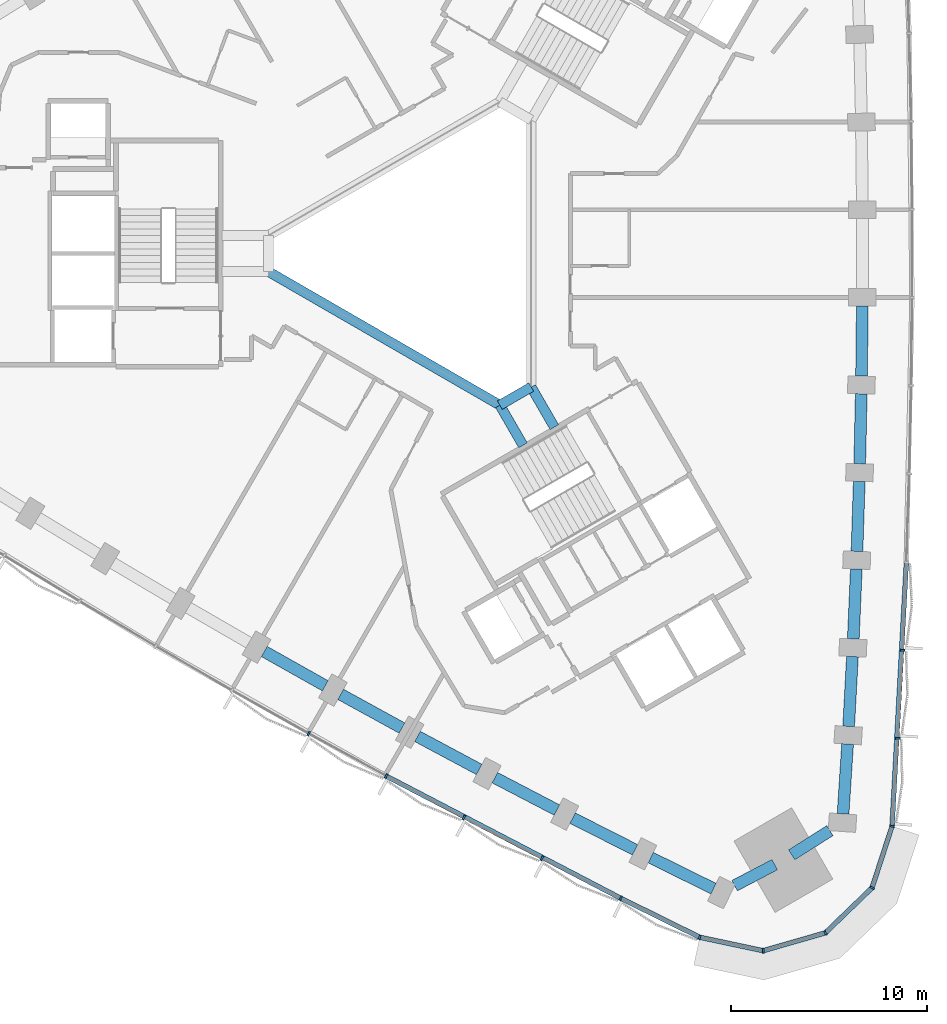
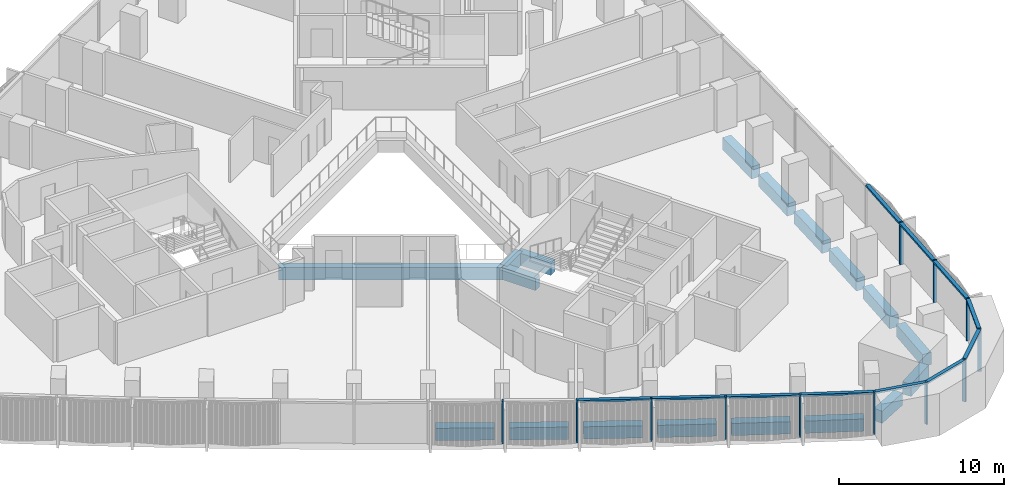
# One storey, part 3 of 15: 19 members, 18 beams, 2 elements without a shape of their own.
"""IFC4 building model written with IfcOpenShell, lengths in metres."""

from ifc_helpers import new_model, si_unit, direction, frame, origin, origin_2d, place, context, subcontext, project, spatial, rectangle, extrude, material, material_profile, profile_set, type_object, element, aggregate, save


model = new_model("IFC4")

# Units and contexts
model_context = context("Model", 3, precision=1e-05, world=origin(), true_north=direction((0.0, 1.0)))
body_context = subcontext(model_context, "Body", "Model", "MODEL_VIEW")
ifc_project = project(units=[si_unit("LENGTHUNIT", "METRE"), si_unit("AREAUNIT", "SQUARE_METRE"), si_unit("VOLUMEUNIT", "CUBIC_METRE"), si_unit("PLANEANGLEUNIT", "RADIAN"), si_unit("MASSUNIT", "GRAM", prefix="KILO")], contexts=[model_context])

# Site, building, storey
site_placement = place(None, origin())
site = spatial("IfcSite", under=ifc_project, at=site_placement, CompositionType="ELEMENT")
building_placement = place(site_placement, origin())
building = spatial("IfcBuilding", under=site, at=building_placement, Name="Tamra Quay Hotel Tower", CompositionType="ELEMENT")
storey_placement = place(building_placement, frame((0.0, 0.0, 63.800048828125)))
storey = spatial("IfcBuildingStorey", under=building, at=storey_placement, Name="L14", CompositionType="ELEMENT", Elevation=63.800048828125)

# Beams
ifc_material_1 = material(Name="Concrete M60", Category="concrete")
ifc_material_profile_1 = material_profile(ifc_material_1, rectangle(XDim=0.5, YDim=0.89990234375, at=origin_2d()), Name="ATRIUM EDGE BEAM RC 500x900")
ifc_profile_set_1 = profile_set([ifc_material_profile_1], Name="Concrete M60")
beam_type_1 = type_object("IfcBeamType", Name="ATRIUM EDGE BEAM RC 500x900", PredefinedType="BEAM", material=ifc_profile_set_1)
beam_1_placement = place(storey_placement, frame((5.0, -6.812744140625, -0.925048828125), z_axis=(-0.86602275259, -0.500004591975, 0.0), x_axis=(0.500004591975, -0.86602275259, 0.0)))
element("IfcBeam", 1, at=beam_1_placement, inside=storey, type_object=beam_type_1, Name="BM-AB1-L14", PredefinedType="BEAM", context=body_context, shape_type="SweptSolid", body=[
    extrude(rectangle(XDim=0.5, YDim=0.89990234375, at=origin_2d()), origin(), (0.0, 0.0, 1.0), 1.84765625),
])
beam_2_placement = place(storey_placement, frame((3.39990234375, -7.736572265625, -0.925048828125), z_axis=(-0.866021471679, 0.500006810544, 0.0), x_axis=(-0.500006810544, -0.866021471679, 0.0)))
element("IfcBeam", 2, at=beam_2_placement, inside=storey, type_object=beam_type_1, Name="BM-AB2-L14", PredefinedType="BEAM", context=body_context, shape_type="SweptSolid", body=[
    extrude(rectangle(XDim=0.5, YDim=0.89990234375, at=origin_2d()), origin(), (0.0, 0.0, 1.0), 13.625244140625),
])
ifc_material_profile_2 = material_profile(ifc_material_1, rectangle(XDim=0.5, YDim=0.89990234375, at=origin_2d()), Name="ATRIUM TIE BEAM RC 500x900")
ifc_profile_set_2 = profile_set([ifc_material_profile_2], Name="Concrete M60")
beam_type_2 = type_object("IfcBeamType", Name="ATRIUM TIE BEAM RC 500x900", PredefinedType="BEAM", material=ifc_profile_set_2)
for number, where, z_axis, x_axis, name in (
    (3, (5.0, -6.812744140625, -0.925048828125), (0.500029618126, -0.866008303076, 0.0), (0.866008303076, 0.500029618126, 0.0), "BM-TIE-1-L14"),
    (4, (3.39990234375, -7.736572265625, -0.925048828125), (0.500029618126, -0.866008303076, 0.0), (0.866008303076, 0.500029618126, 0.0), "BM-TIE-2-L14"),
):
    element("IfcBeam", number, at=place(storey_placement, frame(where, z_axis=z_axis, x_axis=x_axis)), inside=storey, type_object=beam_type_2, Name=name, PredefinedType="BEAM", context=body_context, shape_type="SweptSolid", body=[
        extrude(rectangle(XDim=0.5, YDim=0.89990234375, at=origin_2d()), origin(), (0.0, 0.0, 1.0), 2.362060546875),
    ])

# Curtain wall, members
ifc_material_2 = material(Name="Aluminium 6063 anodised dark grey", Category="aluminium")
curtain_wall_type_1 = type_object("IfcCurtainWallType", Name="CW1 CURTAIN WALL", PredefinedType="NOTDEFINED", material=ifc_material_2)
curtain_wall_1_placement = place(storey_placement, origin())
curtain_wall_1 = element("IfcCurtainWall", 5, at=curtain_wall_1_placement, inside=storey, type_object=curtain_wall_type_1, Name="CW1 east face L14", PredefinedType="NOTDEFINED")
ifc_material_profile_3 = material_profile(ifc_material_2, rectangle(XDim=0.239990234375, YDim=0.10009765625, at=origin_2d()), Name="MULLION 100X240")
ifc_profile_set_3 = profile_set([ifc_material_profile_3], Name="Aluminium 6063 anodised dark grey")
member_type_1 = type_object("IfcMemberType", Name="MULLION CW1 Z1", PredefinedType="MULLION", material=ifc_profile_set_3)
member_1_placement = place(storey_placement, frame((23.40869140625, -29.2109375, 0.0), z_axis=(0.0, 0.0, 1.0), x_axis=(0.982094529733, -0.188388785943, 0.0)))
member_1 = element("IfcMember", 6, at=member_1_placement, type_object=member_type_1, Name="CW1 mullion L14.E.1", PredefinedType="MULLION", context=body_context, shape_type="SweptSolid", body=[
    extrude(rectangle(XDim=0.239990234375, YDim=0.10009765625, at=origin_2d()), origin(), (0.0, 0.0, 1.0), 3.125),
])
member_2_placement = place(storey_placement, frame((23.699951171875, -24.723876953125, 0.0), z_axis=(0.0, 0.0, 1.0), x_axis=(0.998231971154, -0.05943847042, 0.0)))
member_2 = element("IfcMember", 7, at=member_2_placement, type_object=member_type_1, Name="CW1 mullion L14.E.2", PredefinedType="MULLION", context=body_context, shape_type="SweptSolid", body=[
    extrude(rectangle(XDim=0.239990234375, YDim=0.10009765625, at=origin_2d()), origin(), (0.0, 0.0, 1.0), 3.125),
])
member_3_placement = place(storey_placement, frame((23.943115234375, -20.2314453125, 0.0), z_axis=(0.0, 0.0, 1.0), x_axis=(0.998814694093, -0.048674499108, 0.0)))
member_3 = element("IfcMember", 8, at=member_3_placement, type_object=member_type_1, Name="CW1 mullion L14.E.3", PredefinedType="MULLION", context=body_context, shape_type="SweptSolid", body=[
    extrude(rectangle(XDim=0.239990234375, YDim=0.10009765625, at=origin_2d()), origin(), (0.0, 0.0, 1.0), 3.125),
])

curtain_wall_type_2 = type_object("IfcCurtainWallType", Name="CW3 CURTAIN WALL", PredefinedType="NOTDEFINED", material=ifc_material_2)
curtain_wall_2_placement = place(storey_placement, origin())
curtain_wall_2 = element("IfcCurtainWall", 9, at=curtain_wall_2_placement, inside=storey, type_object=curtain_wall_type_2, Name="CW3 south-west face L14", PredefinedType="NOTDEFINED")
ifc_material_profile_4 = material_profile(ifc_material_2, rectangle(XDim=0.239990234375, YDim=0.10009765625, at=origin_2d()), Name="MULLION 100X240")
ifc_profile_set_4 = profile_set([ifc_material_profile_4], Name="Aluminium 6063 anodised dark grey")
member_type_2 = type_object("IfcMemberType", Name="MULLION CW3 Z1", PredefinedType="MULLION", material=ifc_profile_set_4)
member_4_placement = place(storey_placement, frame((-6.3486328125, -24.48779296875, 0.0), z_axis=(0.0, 0.0, 1.0), x_axis=(-0.485863802361, -0.874034533388, 0.0)))
member_4 = element("IfcMember", 10, at=member_4_placement, type_object=member_type_2, Name="CW3 mullion L14.SW.9", PredefinedType="MULLION", context=body_context, shape_type="SweptSolid", body=[
    extrude(rectangle(XDim=0.239990234375, YDim=0.10009765625, at=origin_2d()), origin(), (0.0, 0.0, 1.0), 3.125),
])
member_5_placement = place(storey_placement, frame((-2.40478515625, -26.65234375, 0.0), z_axis=(0.0, 0.0, 1.0), x_axis=(-0.476376526936, -0.87924138016, 0.0)))
member_5 = element("IfcMember", 11, at=member_5_placement, type_object=member_type_2, Name="CW3 mullion L14.SW.10", PredefinedType="MULLION", context=body_context, shape_type="SweptSolid", body=[
    extrude(rectangle(XDim=0.239990234375, YDim=0.10009765625, at=origin_2d()), origin(), (0.0, 0.0, 1.0), 3.125),
])
member_6_placement = place(storey_placement, frame((1.56103515625, -28.773193359375, 0.0), z_axis=(0.0, 0.0, 1.0), x_axis=(-0.466835499362, -0.884344173122, 0.0)))
member_6 = element("IfcMember", 12, at=member_6_placement, type_object=member_type_2, Name="CW3 mullion L14.SW.11", PredefinedType="MULLION", context=body_context, shape_type="SweptSolid", body=[
    extrude(rectangle(XDim=0.239990234375, YDim=0.10009765625, at=origin_2d()), origin(), (0.0, 0.0, 1.0), 3.125),
])
member_7_placement = place(storey_placement, frame((5.54931640625, -30.851318359375, 0.0), z_axis=(0.0, 0.0, 1.0), x_axis=(-0.457253994303, -0.889336148312, 0.0)))
member_7 = element("IfcMember", 13, at=member_7_placement, type_object=member_type_2, Name="CW3 mullion L14.SW.12", PredefinedType="MULLION", context=body_context, shape_type="SweptSolid", body=[
    extrude(rectangle(XDim=0.239990234375, YDim=0.10009765625, at=origin_2d()), origin(), (0.0, 0.0, 1.0), 3.125),
])
member_8_placement = place(storey_placement, frame((9.5615234375, -32.88671875, 0.0), z_axis=(0.0, 0.0, 1.0), x_axis=(-0.447640760231, -0.894213481099, 0.0)))
member_8 = element("IfcMember", 14, at=member_8_placement, type_object=member_type_2, Name="CW3 mullion L14.SW.13", PredefinedType="MULLION", context=body_context, shape_type="SweptSolid", body=[
    extrude(rectangle(XDim=0.239990234375, YDim=0.10009765625, at=origin_2d()), origin(), (0.0, 0.0, 1.0), 3.125),
])
member_9_placement = place(storey_placement, frame((13.593017578125, -34.8779296875, 0.0), z_axis=(0.0, 0.0, 1.0), x_axis=(-0.327897790452, -0.944713204638, 0.0)))
member_9 = element("IfcMember", 15, at=member_9_placement, type_object=member_type_2, Name="CW3 mullion L14.SW.14", PredefinedType="MULLION", context=body_context, shape_type="SweptSolid", body=[
    extrude(rectangle(XDim=0.239990234375, YDim=0.10009765625, at=origin_2d()), origin(), (0.0, 0.0, 1.0), 3.125),
])
member_10_placement = place(storey_placement, frame((16.828125, -35.5654296875, 0.0), z_axis=(0.0, 0.0, 1.0), x_axis=(0.034915999879, -0.999390250579, 0.0)))
member_10 = element("IfcMember", 16, at=member_10_placement, type_object=member_type_2, Name="CW3 mullion L14.SW.15", PredefinedType="MULLION", context=body_context, shape_type="SweptSolid", body=[
    extrude(rectangle(XDim=0.239990234375, YDim=0.10009765625, at=origin_2d()), origin(), (0.0, 0.0, 1.0), 3.125),
])
member_11_placement = place(storey_placement, frame((20.00732421875, -34.65380859375, 0.0), z_axis=(0.0, 0.0, 1.0), x_axis=(0.5, -0.866025403784, 0.0)))
member_11 = element("IfcMember", 17, at=member_11_placement, type_object=member_type_2, Name="CW3 mullion L14.SW.16", PredefinedType="MULLION", context=body_context, shape_type="SweptSolid", body=[
    extrude(rectangle(XDim=0.239990234375, YDim=0.10009765625, at=origin_2d()), origin(), (0.0, 0.0, 1.0), 3.125),
])
member_12_placement = place(storey_placement, frame((22.386474609375, -32.356201171875, 0.0), z_axis=(0.0, 0.0, 1.0), x_axis=(0.848039345356, -0.529933268183, 0.0)))
member_12 = element("IfcMember", 18, at=member_12_placement, type_object=member_type_2, Name="CW3 mullion L14.SW.17", PredefinedType="MULLION", context=body_context, shape_type="SweptSolid", body=[
    extrude(rectangle(XDim=0.239990234375, YDim=0.10009765625, at=origin_2d()), origin(), (0.0, 0.0, 1.0), 3.125),
])

# Beams
ifc_material_profile_5 = material_profile(ifc_material_1, rectangle(XDim=0.60009765625, YDim=0.89990234375, at=origin_2d()), Name="SPANDREL BEAM RC 600x900")
ifc_profile_set_5 = profile_set([ifc_material_profile_5], Name="Concrete M60")
beam_type_3 = type_object("IfcBeamType", Name="SPANDREL BEAM RC 600x900", PredefinedType="SPANDREL", material=ifc_profile_set_5)
beam_3_placement = place(storey_placement, frame((20.908203125, -28.584716796875, -0.925048828125), z_axis=(0.064749077985, 0.99790157676, 0.0), x_axis=(-0.99790157676, 0.064749077985, 0.0)))
element("IfcBeam", 19, at=beam_3_placement, inside=storey, type_object=beam_type_3, Name="BM-SP1-000-L14", PredefinedType="SPANDREL", context=body_context, shape_type="SweptSolid", body=[
    extrude(rectangle(XDim=0.60009765625, YDim=0.89990234375, at=origin_2d()), origin(), (0.0, 0.0, 1.0), 3.57080078125),
])
beam_4_placement = place(storey_placement, frame((21.193115234375, -24.123046875, -0.925048828125), z_axis=(0.054026860576, 0.998539482613, 0.0), x_axis=(-0.998539482613, 0.054026860576, 0.0)))
element("IfcBeam", 20, at=beam_4_placement, inside=storey, type_object=beam_type_3, Name="BM-SP1-001-L14", PredefinedType="SPANDREL", context=body_context, shape_type="SweptSolid", body=[
    extrude(rectangle(XDim=0.60009765625, YDim=0.89990234375, at=origin_2d()), origin(), (0.0, 0.0, 1.0), 3.56982421875),
])
for number, where, z_axis, x_axis, name in (
    (21, (21.429931640625, -19.659423828125, -0.925048828125), (0.043282922957, 0.99906285517, 0.0), (-0.99906285517, 0.043282922957, 0.0), "BM-SP1-002-L14"),
    (22, (21.618408203125, -15.19287109375, -0.925048828125), (0.032547568535, 0.999470187541, 0.0), (-0.999470187541, 0.032547568535, 0.0), "BM-SP1-003-L14"),
):
    element("IfcBeam", number, at=place(storey_placement, frame(where, z_axis=z_axis, x_axis=x_axis)), inside=storey, type_object=beam_type_3, Name=name, PredefinedType="SPANDREL", context=body_context, shape_type="SweptSolid", body=[
        extrude(rectangle(XDim=0.60009765625, YDim=0.89990234375, at=origin_2d()), origin(), (0.0, 0.0, 1.0), 3.570556640625),
    ])
beam_5_placement = place(storey_placement, frame((21.7587890625, -10.724609375, -0.925048828125), z_axis=(0.021679013576, 0.999764982569, 0.0), x_axis=(-0.999764982569, 0.021679013576, 0.0)))
element("IfcBeam", 23, at=beam_5_placement, inside=storey, type_object=beam_type_3, Name="BM-SP1-004-L14", PredefinedType="SPANDREL", context=body_context, shape_type="SweptSolid", body=[
    extrude(rectangle(XDim=0.60009765625, YDim=0.89990234375, at=origin_2d()), origin(), (0.0, 0.0, 1.0), 3.56982421875),
])
for number, where, z_axis, x_axis, name in (
    (24, (21.850830078125, -6.255615234375, -0.925048828125), (0.010803527021, 0.999941640199, 0.0), (-0.999941640199, 0.010803527021, 0.0), "BM-SP1-005-L14"),
    (25, (-8.619384765625, -20.299560546875, -0.925048828125), (0.871431243693, -0.49051767299, 0.0), (0.49051767299, 0.871431243693, 0.0), "BM-SP1-037-L14"),
):
    element("IfcBeam", number, at=place(storey_placement, frame(where, z_axis=z_axis, x_axis=x_axis)), inside=storey, type_object=beam_type_3, Name=name, PredefinedType="SPANDREL", context=body_context, shape_type="SweptSolid", body=[
        extrude(rectangle(XDim=0.60009765625, YDim=0.89990234375, at=origin_2d()), origin(), (0.0, 0.0, 1.0), 3.570556640625),
    ])
beam_6_placement = place(storey_placement, frame((-4.72119140625, -22.48828125, -0.925048828125), z_axis=(0.876617015828, -0.481188744216, 0.0), x_axis=(0.481188744216, 0.876617015828, 0.0)))
element("IfcBeam", 26, at=beam_6_placement, inside=storey, type_object=beam_type_3, Name="BM-SP1-038-L14", PredefinedType="SPANDREL", context=body_context, shape_type="SweptSolid", body=[
    extrude(rectangle(XDim=0.60009765625, YDim=0.89990234375, at=origin_2d()), origin(), (0.0, 0.0, 1.0), 3.56982421875),
])
beam_7_placement = place(storey_placement, frame((-0.80029296875, -24.634765625, -0.925048828125), z_axis=(0.881809110934, -0.471606501094, 0.0), x_axis=(0.471606501094, 0.881809110934, 0.0)))
element("IfcBeam", 27, at=beam_7_placement, inside=storey, type_object=beam_type_3, Name="BM-SP1-039-L14", PredefinedType="SPANDREL", context=body_context, shape_type="SweptSolid", body=[
    extrude(rectangle(XDim=0.60009765625, YDim=0.89990234375, at=origin_2d()), origin(), (0.0, 0.0, 1.0), 3.5703125),
])
beam_8_placement = place(storey_placement, frame((3.14404296875, -26.73876953125, -0.925048828125), z_axis=(0.886863886749, -0.462030785101, 0.0), x_axis=(0.462030785101, 0.886863886749, 0.0)))
element("IfcBeam", 28, at=beam_8_placement, inside=storey, type_object=beam_type_3, Name="BM-SP1-040-L14", PredefinedType="SPANDREL", context=body_context, shape_type="SweptSolid", body=[
    extrude(rectangle(XDim=0.60009765625, YDim=0.89990234375, at=origin_2d()), origin(), (0.0, 0.0, 1.0), 3.570556640625),
])
beam_9_placement = place(storey_placement, frame((7.111083984375, -28.800048828125, -0.925048828125), z_axis=(0.891785652583, -0.452458119439, 0.0), x_axis=(0.452458119439, 0.891785652583, 0.0)))
element("IfcBeam", 29, at=beam_9_placement, inside=storey, type_object=beam_type_3, Name="BM-SP1-041-L14", PredefinedType="SPANDREL", context=body_context, shape_type="SweptSolid", body=[
    extrude(rectangle(XDim=0.60009765625, YDim=0.89990234375, at=origin_2d()), origin(), (0.0, 0.0, 1.0), 3.56982421875),
])
beam_10_placement = place(storey_placement, frame((11.099365234375, -30.818115234375, -0.925048828125), z_axis=(0.896604328032, -0.442832563113, 0.0), x_axis=(0.442832563113, 0.896604328032, 0.0)))
element("IfcBeam", 30, at=beam_10_placement, inside=storey, type_object=beam_type_3, Name="BM-SP1-042-L14", PredefinedType="SPANDREL", context=body_context, shape_type="SweptSolid", body=[
    extrude(rectangle(XDim=0.60009765625, YDim=0.89990234375, at=origin_2d()), origin(), (0.0, 0.0, 1.0), 3.57080078125),
])
beam_11_placement = place(storey_placement, frame((15.377197265625, -32.24609375, -0.925048828125), z_axis=(0.885674154565, 0.464307324879, 0.0), x_axis=(-0.464307324879, 0.885674154565, 0.0)))
element("IfcBeam", 31, at=beam_11_placement, inside=storey, type_object=beam_type_3, Name="BM-SP1-043-L14", PredefinedType="SPANDREL", context=body_context, shape_type="SweptSolid", body=[
    extrude(rectangle(XDim=0.60009765625, YDim=0.89990234375, at=origin_2d()), origin(), (0.0, 0.0, 1.0), 2.308349609375),
])
beam_12_placement = place(storey_placement, frame((18.28662109375, -30.6748046875, -0.925048828125), z_axis=(0.844978382684, 0.53480046073, 0.0), x_axis=(-0.53480046073, 0.844978382684, 0.0)))
element("IfcBeam", 32, at=beam_12_placement, inside=storey, type_object=beam_type_3, Name="BM-SP1-044-L14", PredefinedType="SPANDREL", context=body_context, shape_type="SweptSolid", body=[
    extrude(rectangle(XDim=0.60009765625, YDim=0.89990234375, at=origin_2d()), origin(), (0.0, 0.0, 1.0), 2.30859375),
])

# Member
ifc_material_profile_6 = material_profile(ifc_material_2, rectangle(XDim=0.239990234375, YDim=0.139892578125, at=origin_2d()), Name="TRANSOM 240X140")
ifc_profile_set_6 = profile_set([ifc_material_profile_6], Name="Aluminium 6063 anodised dark grey")
member_type_3 = type_object("IfcMemberType", Name="TRANSOM CW1 Z1", PredefinedType="USERDEFINED", material=ifc_profile_set_6)
member_13_placement = place(storey_placement, frame((23.411865234375, -29.160888671875, 3.054931640625), z_axis=(0.054052387444, 0.998538101132, 0.0), x_axis=(-0.998538101132, 0.054052387444, 0.0)))
member_13 = element("IfcMember", 33, at=member_13_placement, type_object=member_type_3, Name="CW1 transom L14.E.1", ObjectType="TRANSOM", PredefinedType="USERDEFINED", context=body_context, shape_type="SweptSolid", body=[
    extrude(rectangle(XDim=0.239990234375, YDim=0.139892578125, at=origin_2d()), origin(), (0.0, 0.0, 1.0), 13.39208984375),
])

aggregate(curtain_wall_1, [member_1, member_13, member_2, member_3])

ifc_material_profile_7 = material_profile(ifc_material_2, rectangle(XDim=0.239990234375, YDim=0.139892578125, at=origin_2d()), Name="TRANSOM 240X140")
ifc_profile_set_7 = profile_set([ifc_material_profile_7], Name="Aluminium 6063 anodised dark grey")
member_type_4 = type_object("IfcMemberType", Name="TRANSOM CW3 Z1", PredefinedType="USERDEFINED", material=ifc_profile_set_7)
member_14_placement = place(storey_placement, frame((-2.360595703125, -26.67578125, 3.054931640625), z_axis=(0.886850905356, -0.462055701913, 0.0), x_axis=(0.462055701913, 0.886850905356, 0.0)))
member_14 = element("IfcMember", 34, at=member_14_placement, type_object=member_type_4, Name="CW3 transom L14.SW.10", ObjectType="TRANSOM", PredefinedType="USERDEFINED", context=body_context, shape_type="SweptSolid", body=[
    extrude(rectangle(XDim=0.239990234375, YDim=0.139892578125, at=origin_2d()), origin(), (0.0, 0.0, 1.0), 13.392822265625),
])

member_15_placement = place(storey_placement, frame((9.606201171875, -32.908935546875, 3.054931640625), z_axis=(0.89661543445, -0.442810075208, 0.0), x_axis=(0.442810075208, 0.89661543445, 0.0)))
member_15 = element("IfcMember", 35, at=member_15_placement, type_object=member_type_4, Name="CW3 transom L14.SW.13", ObjectType="TRANSOM", PredefinedType="USERDEFINED", context=body_context, shape_type="SweptSolid", body=[
    extrude(rectangle(XDim=0.239990234375, YDim=0.139892578125, at=origin_2d()), origin(), (0.0, 0.0, 1.0), 4.396484375),
])

member_16_placement = place(storey_placement, frame((13.641845703125, -34.88818359375, 3.054931640625), z_axis=(0.978156336052, -0.20787059013, 0.0), x_axis=(0.20787059013, 0.978156336052, 0.0)))
member_16 = element("IfcMember", 36, at=member_16_placement, type_object=member_type_4, Name="CW3 transom L14.SW.14", ObjectType="TRANSOM", PredefinedType="USERDEFINED", context=body_context, shape_type="SweptSolid", body=[
    extrude(rectangle(XDim=0.239990234375, YDim=0.139892578125, at=origin_2d()), origin(), (0.0, 0.0, 1.0), 3.20751953125),
])

member_17_placement = place(storey_placement, frame((16.876220703125, -35.551513671875, 3.054931640625), z_axis=(0.961262114071, 0.275635897612, 0.0), x_axis=(-0.275635897612, 0.961262114071, 0.0)))
member_17 = element("IfcMember", 37, at=member_17_placement, type_object=member_type_4, Name="CW3 transom L14.SW.15", ObjectType="TRANSOM", PredefinedType="USERDEFINED", context=body_context, shape_type="SweptSolid", body=[
    extrude(rectangle(XDim=0.239990234375, YDim=0.139892578125, at=origin_2d()), origin(), (0.0, 0.0, 1.0), 3.207275390625),
])

member_18_placement = place(storey_placement, frame((20.043212890625, -34.618896484375, 3.054931640625), z_axis=(0.719405395398, 0.694590438367, 0.0), x_axis=(-0.694590438367, 0.719405395398, 0.0)))
member_18 = element("IfcMember", 38, at=member_18_placement, type_object=member_type_4, Name="CW3 transom L14.SW.16", ObjectType="TRANSOM", PredefinedType="USERDEFINED", context=body_context, shape_type="SweptSolid", body=[
    extrude(rectangle(XDim=0.239990234375, YDim=0.139892578125, at=origin_2d()), origin(), (0.0, 0.0, 1.0), 3.207275390625),
])

member_19_placement = place(storey_placement, frame((22.40185546875, -32.308837890625, 3.054931640625), z_axis=(0.309025833938, 0.951053644102, 0.0), x_axis=(-0.951053644102, 0.309025833938, 0.0)))
member_19 = element("IfcMember", 39, at=member_19_placement, type_object=member_type_4, Name="CW3 transom L14.SW.17", ObjectType="TRANSOM", PredefinedType="USERDEFINED", context=body_context, shape_type="SweptSolid", body=[
    extrude(rectangle(XDim=0.239990234375, YDim=0.139892578125, at=origin_2d()), origin(), (0.0, 0.0, 1.0), 3.20751953125),
])

aggregate(curtain_wall_2, [member_4, member_5, member_14, member_6, member_7, member_8, member_15, member_9, member_16, member_10, member_17, member_11, member_18, member_12, member_19])

save(model, "model.ifc")
